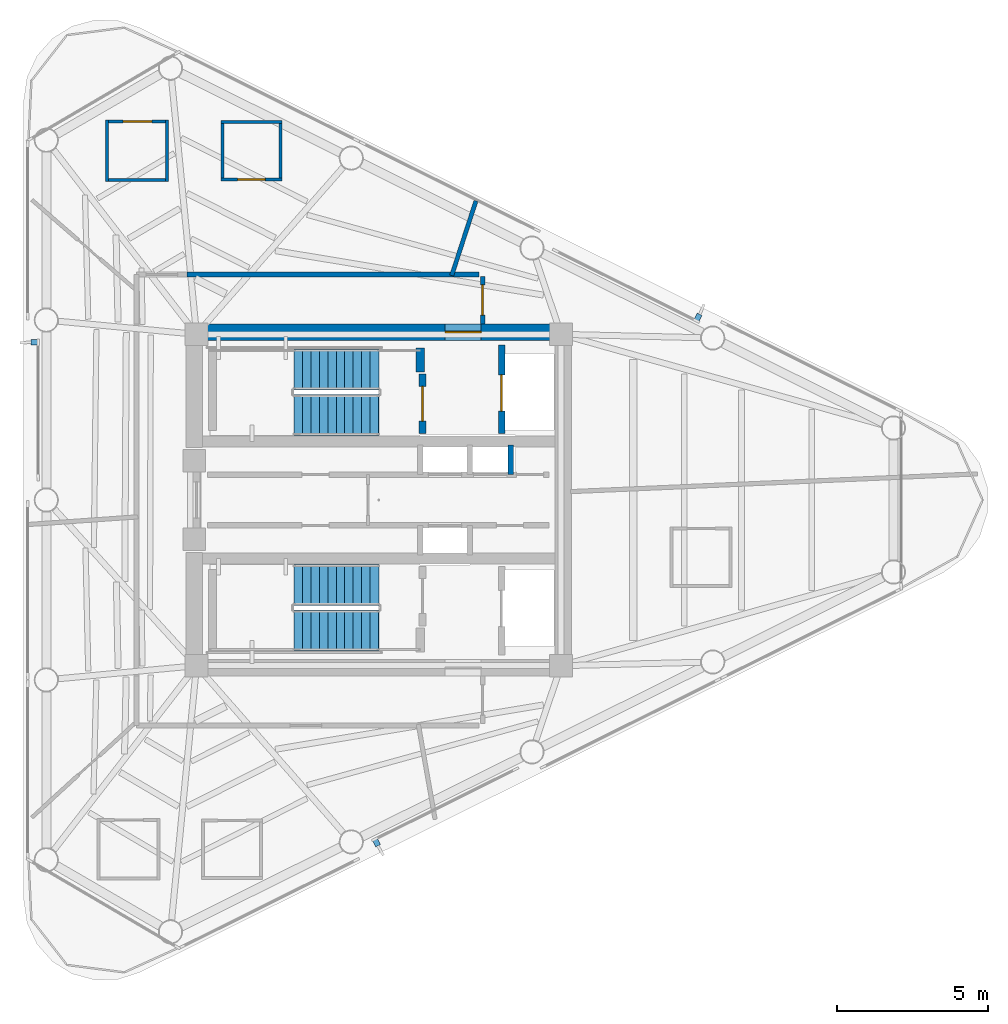
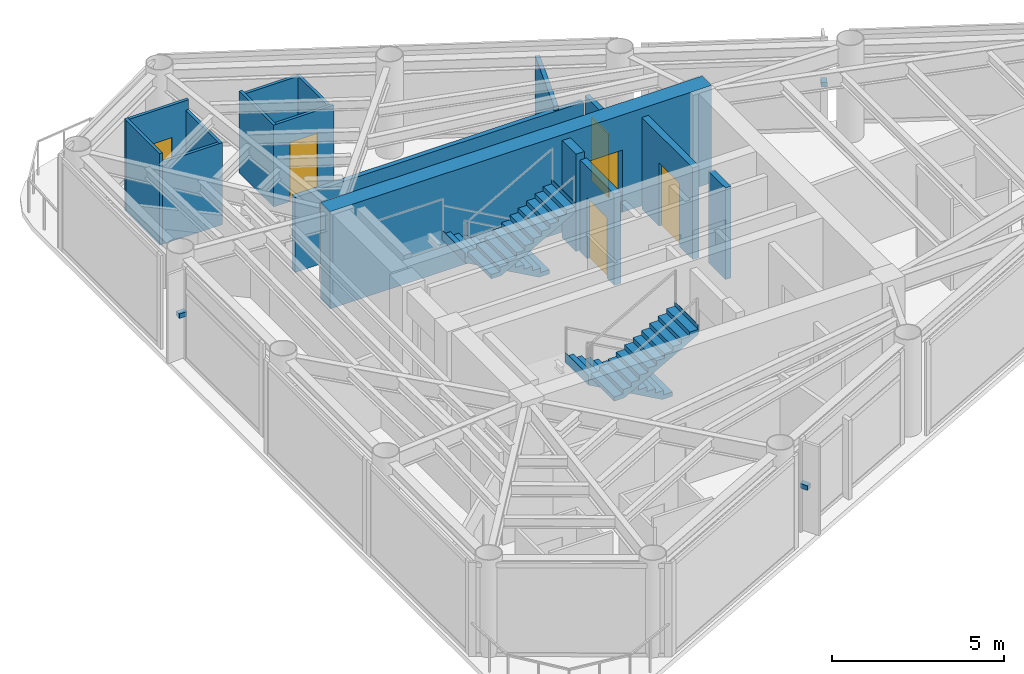
# One storey, part 6 of 10: 16 walls, 6 doors, 4 stair flights, 3 discrete accessories, 6 openings, 2 elements without a shape of their own.
"""IFC4 building model written with IfcOpenShell, lengths in metres."""

from ifc_helpers import new_model, si_unit, direction, frame, frame_2d, origin, origin_2d, place, context, subcontext, project, spatial, polyline, rectangle, outline, extrude, source, transform, mapped, material, layer, layer_set, type_object, element, fill, aggregate, save


model = new_model("IFC4")

# Units and contexts
model_context = context("Model", 3, precision=1e-05, world=origin(), true_north=direction((0.0, 1.0)))
body_context = subcontext(model_context, "Body", "Model", "MODEL_VIEW")
ifc_project = project(units=[si_unit("LENGTHUNIT", "METRE"), si_unit("AREAUNIT", "SQUARE_METRE"), si_unit("VOLUMEUNIT", "CUBIC_METRE"), si_unit("PLANEANGLEUNIT", "RADIAN"), si_unit("MASSUNIT", "GRAM", prefix="KILO")], contexts=[model_context])

# Site, building, storey
site_placement = place(None, origin())
site = spatial("IfcSite", under=ifc_project, at=site_placement, CompositionType="ELEMENT")
building_placement = place(site_placement, origin())
building = spatial("IfcBuilding", under=site, at=building_placement, Name="Yunling Apex Tower", CompositionType="ELEMENT")
storey_placement = place(building_placement, frame((0.0, 0.0, 307.10009765625)))
storey = spatial("IfcBuildingStorey", under=building, at=storey_placement, Name="L75", CompositionType="ELEMENT", Elevation=307.10009765625)

# Wall, opening, door
ifc_material_1 = material(Name="Concrete C40", Category="concrete")
ifc_layer_1 = layer(ifc_material_1, 0.550048828125)
ifc_layer_set_1 = layer_set([ifc_layer_1], Name="Concrete C40")
wall_type_1 = type_object("IfcWallType", Name="WL-COR-3", PredefinedType="SHEAR", material=ifc_layer_set_1)
wall_1_placement = place(storey_placement, frame((-6.39990234375, 5.574951171875, 0.0), z_axis=(0.0, 0.0, 1.0), x_axis=(1.0, 0.0, 0.0)))
wall_1 = element("IfcWall", 1, at=wall_1_placement, inside=storey, type_object=wall_type_1, Name="L75 North Core Shear Wall", PredefinedType="SHEAR", context=body_context, shape_type="SweptSolid", body=[
    extrude(rectangle(XDim=12.7998046875, YDim=0.550048828125, at=frame_2d((6.39990234375, 0.0))), origin(), (0.0, 0.0, 1.0), 3.449951171875),
])
opening_1_placement = place(wall_1_placement, frame((8.60009765625, 0.0, 0.0)))
opening_1 = element("IfcOpeningElement", 2, at=opening_1_placement, cuts=wall_1, Name="Opening DR-FFL-1", PredefinedType="OPENING", context=body_context, shape_type="SweptSolid", body=[
    extrude(rectangle(XDim=1.199951171875, YDim=2.199951171875, at=frame_2d((0.60009765625, 1.10009765625))), frame((0.0, 0.28515625, 0.0), z_axis=(0.0, -1.0, 0.0), x_axis=(1.0, 0.0, 0.0)), (0.0, 0.0, 1.0), 0.570068359375),
])
ifc_material_2 = material(Name="Steel Q355B", Category="steel")
door_type_1 = type_object("IfcDoorType", Name="DR-FFL-1", OperationType="NOTDEFINED", PredefinedType="DOOR", material=ifc_material_2)
door_1_placement = place(opening_1_placement, origin())
door_1 = element("IfcDoor", 3, at=door_1_placement, inside=storey, type_object=door_type_1, Name="L75 North Firefighting Lobby Door", OperationType="SINGLE_SWING_LEFT", OverallHeight=2.199951171875, OverallWidth=1.199951171875, PredefinedType="DOOR", context=body_context, shape_type="SweptSolid", body=[
    extrude(rectangle(XDim=1.199951171875, YDim=2.199951171875, at=frame_2d((0.60009765625, 1.10009765625))), frame((0.0, 0.02490234375, 0.0), z_axis=(0.0, -1.0, 0.0), x_axis=(1.0, 0.0, 0.0)), (0.0, 0.0, 1.0), 0.050048828125),
])
fill(opening_1, door_1)

# Walls
ifc_layer_2 = layer(ifc_material_1, 0.280029296875)
ifc_layer_set_2 = layer_set([ifc_layer_2], Name="Concrete C40")
wall_type_2 = type_object("IfcWallType", Name="WL-COR-8", PredefinedType="SHEAR", material=ifc_layer_set_2)
wall_2_placement = place(storey_placement, frame((1.3798828125, 4.25, 0.0), z_axis=(0.0, 0.0, 1.0), x_axis=(0.0, 1.0, 0.0)))
element("IfcWall", 4, at=wall_2_placement, inside=storey, type_object=wall_type_2, Name="L75 ST-1 East Landing Bearing Pier", PredefinedType="SHEAR", context=body_context, shape_type="SweptSolid", body=[
    extrude(rectangle(XDim=0.800048828125, YDim=0.280029296875, at=frame_2d((0.39990234375, 0.0))), origin(), (0.0, 0.0, 1.0), 3.449951171875),
])
ifc_material_3 = material(Name="Gypsum board acoustic partition")
ifc_layer_3 = layer(ifc_material_3, 0.159912109375)
ifc_layer_set_3 = layer_set([ifc_layer_3], Name="Gypsum board acoustic partition")
wall_type_3 = type_object("IfcWallType", Name="WL-PRT-1", PredefinedType="PARTITIONING", material=ifc_layer_set_3)
wall_3_placement = place(storey_placement, frame((-6.360107421875, 7.489990234375, 0.0), z_axis=(0.0, 0.0, 1.0), x_axis=(1.0, 0.0, 0.0)))
element("IfcWall", 5, at=wall_3_placement, inside=storey, type_object=wall_type_3, Name="WL-CORR-L75-03", PredefinedType="PARTITIONING", context=body_context, shape_type="SweptSolid", body=[
    extrude(rectangle(XDim=9.67919921875, YDim=0.159912109375, at=frame_2d((4.839599609375, 0.0))), origin(), (0.0, 0.0, 1.0), 2.65478515625),
])

# Wall, opening, door
wall_4_placement = place(storey_placement, frame((3.449951171875, 7.4248046875, 0.0), z_axis=(0.0, 0.0, 1.0), x_axis=(0.0, -1.0, 0.0)))
wall_4 = element("IfcWall", 6, at=wall_4_placement, inside=storey, type_object=wall_type_3, Name="WL-CORR-L75-04", PredefinedType="PARTITIONING", context=body_context, shape_type="SweptSolid", body=[
    extrude(rectangle(XDim=1.57470703125, YDim=0.159912109375, at=frame_2d((0.787353515625, 0.0))), origin(), (0.0, 0.0, 1.0), 2.85498046875),
])
opening_2_placement = place(wall_4_placement, frame((0.287353515625, 0.0, 0.0)))
opening_2 = element("IfcOpeningElement", 7, at=opening_2_placement, cuts=wall_4, Name="Opening DR-OFF-1", PredefinedType="OPENING", context=body_context, shape_type="SweptSolid", body=[
    extrude(rectangle(XDim=1.0, YDim=2.25, at=frame_2d((0.5, 1.125))), frame((0.0, 0.08984375, 0.0), z_axis=(0.0, -1.0, 0.0), x_axis=(1.0, 0.0, 0.0)), (0.0, 0.0, 1.0), 0.179931640625),
])
ifc_material_4 = material(Name="Bronze anodised aluminium", Category="aluminium")
door_type_2 = type_object("IfcDoorType", Name="DR-OFF-1", OperationType="NOTDEFINED", PredefinedType="DOOR", material=ifc_material_4)
door_2_placement = place(opening_2_placement, origin())
door_2 = element("IfcDoor", 8, at=door_2_placement, inside=storey, type_object=door_type_2, Name="L75 Residents Quiet Study Lounge Door", OperationType="SINGLE_SWING_RIGHT", OverallHeight=2.25, OverallWidth=1.0, PredefinedType="DOOR", context=body_context, shape_type="SweptSolid", body=[
    extrude(rectangle(XDim=1.0, YDim=2.25, at=frame_2d((0.5, 1.125))), frame((0.0, 0.02490234375, 0.0), z_axis=(0.0, -1.0, 0.0), x_axis=(1.0, 0.0, 0.0)), (0.0, 0.0, 1.0), 0.050048828125),
])
fill(opening_2, door_2)

# Walls
ifc_layer_4 = layer(ifc_material_3, 0.139892578125)
ifc_layer_set_4 = layer_set([ifc_layer_4], Name="Gypsum board acoustic partition")
wall_type_4 = type_object("IfcWallType", Name="WL-PRT-2", PredefinedType="PARTITIONING", material=ifc_layer_set_4)
wall_5_placement = place(storey_placement, frame((2.420654296875, 7.449951171875, 0.0), z_axis=(0.0, 0.0, 1.0), x_axis=(0.309047920595, 0.951046467201, 0.0)))
element("IfcWall", 9, at=wall_5_placement, inside=storey, type_object=wall_type_4, Name="WL-RAD-L75-02", PredefinedType="PARTITIONING", context=body_context, shape_type="SweptSolid", body=[
    extrude(rectangle(XDim=2.6044921875, YDim=0.139892578125, at=frame_2d((1.30224609375, 0.0))), origin(), (0.0, 0.0, 1.0), 2.81494140625),
])
ifc_layer_5 = layer(ifc_material_3, 0.10009765625)
ifc_layer_set_5 = layer_set([ifc_layer_5], Name="Gypsum board acoustic partition")
wall_type_5 = type_object("IfcWallType", Name="WL-PRT-4", PredefinedType="PARTITIONING", material=ifc_layer_set_5)
wall_6_placement = place(storey_placement, frame((-5.239013671875, 12.5400390625, 0.0), z_axis=(0.0, 0.0, 1.0), x_axis=(1.0, 0.0, 0.0)))
element("IfcWall", 10, at=wall_6_placement, inside=storey, type_object=wall_type_5, Name="WL-L75-U4BTHN", PredefinedType="PARTITIONING", context=body_context, shape_type="SweptSolid", body=[
    extrude(rectangle(XDim=2.02001953125, YDim=0.10009765625, at=frame_2d((1.010009765625, 0.0))), origin(), (0.0, 0.0, 1.0), 2.81494140625),
])

# Wall, opening, door
wall_7_placement = place(storey_placement, frame((-3.218994140625, 10.639892578125, 0.0), z_axis=(0.0, 0.0, 1.0), x_axis=(-1.0, 0.0, 0.0)))
wall_7 = element("IfcWall", 11, at=wall_7_placement, inside=storey, type_object=wall_type_5, Name="WL-L75-U4BTHS", PredefinedType="PARTITIONING", context=body_context, shape_type="SweptSolid", body=[
    extrude(rectangle(XDim=2.02001953125, YDim=0.10009765625, at=frame_2d((1.010009765625, 0.0))), origin(), (0.0, 0.0, 1.0), 2.90478515625),
])
opening_3_placement = place(wall_7_placement, frame((0.550048828125, 0.0, 0.0)))
opening_3 = element("IfcOpeningElement", 12, at=opening_3_placement, cuts=wall_7, Name="Opening DR-WC-1", PredefinedType="OPENING", context=body_context, shape_type="SweptSolid", body=[
    extrude(rectangle(XDim=0.919921875, YDim=2.10009765625, at=frame_2d((0.4599609375, 1.050048828125))), frame((0.0, 0.06005859375, 0.0), z_axis=(0.0, -1.0, 0.0), x_axis=(1.0, 0.0, 0.0)), (0.0, 0.0, 1.0), 0.1201171875),
])
ifc_material_5 = material(Name="Timber moisture-resistant leaf", Category="wood")
door_type_3 = type_object("IfcDoorType", Name="DR-WC-1", OperationType="NOTDEFINED", PredefinedType="DOOR", material=ifc_material_5)
door_3_placement = place(opening_3_placement, origin())
door_3 = element("IfcDoor", 13, at=door_3_placement, inside=storey, type_object=door_type_3, Name="L75 Unit 4 Bathroom Door", OperationType="SINGLE_SWING_LEFT", OverallHeight=2.10009765625, OverallWidth=0.919921875, PredefinedType="DOOR", context=body_context, shape_type="SweptSolid", body=[
    extrude(rectangle(XDim=0.919921875, YDim=2.10009765625, at=frame_2d((0.4599609375, 1.050048828125))), frame((0.0, 0.02490234375, 0.0), z_axis=(0.0, -1.0, 0.0), x_axis=(1.0, 0.0, 0.0)), (0.0, 0.0, 1.0), 0.050048828125),
])
fill(opening_3, door_3)

# Walls
wall_8_placement = place(storey_placement, frame((-3.26904296875, 12.590087890625, 0.0), z_axis=(0.0, 0.0, 1.0), x_axis=(0.0, -1.0, 0.0)))
element("IfcWall", 14, at=wall_8_placement, inside=storey, type_object=wall_type_5, Name="WL-L75-U4BTHE", PredefinedType="PARTITIONING", context=body_context, shape_type="SweptSolid", body=[
    extrude(rectangle(XDim=2.0, YDim=0.10009765625, at=frame_2d((1.0, 0.0))), origin(), (0.0, 0.0, 1.0), 2.81494140625),
])
wall_9_placement = place(storey_placement, frame((-5.18896484375, 10.590087890625, 0.0), z_axis=(0.0, 0.0, 1.0), x_axis=(0.0, 1.0, 0.0)))
element("IfcWall", 15, at=wall_9_placement, inside=storey, type_object=wall_type_5, Name="WL-L75-U4BTHW", PredefinedType="PARTITIONING", context=body_context, shape_type="SweptSolid", body=[
    extrude(rectangle(XDim=2.0, YDim=0.10009765625, at=frame_2d((1.0, 0.0))), origin(), (0.0, 0.0, 1.0), 2.90478515625),
])

# Wall, opening, door
wall_10_placement = place(storey_placement, frame((-9.074951171875, 12.56494140625, 0.0), z_axis=(0.0, 0.0, 1.0), x_axis=(1.0, 0.0, 0.0)))
wall_10 = element("IfcWall", 16, at=wall_10_placement, inside=storey, type_object=wall_type_5, Name="WL-L75-U4KITN", PredefinedType="PARTITIONING", context=body_context, shape_type="SweptSolid", body=[
    extrude(rectangle(XDim=2.099853515625, YDim=0.10009765625, at=frame_2d((1.0498046875, 0.0))), origin(), (0.0, 0.0, 1.0), 3.25),
])
opening_4_placement = place(wall_10_placement, frame((0.590087890625, 0.0, 0.0)))
opening_4 = element("IfcOpeningElement", 17, at=opening_4_placement, cuts=wall_10, Name="Opening DR-RM-1", PredefinedType="OPENING", context=body_context, shape_type="SweptSolid", body=[
    extrude(rectangle(XDim=0.949951171875, YDim=2.10009765625, at=frame_2d((0.47509765625, 1.050048828125))), frame((0.0, 0.06005859375, 0.0), z_axis=(0.0, -1.0, 0.0), x_axis=(1.0, 0.0, 0.0)), (0.0, 0.0, 1.0), 0.1201171875),
])
ifc_material_6 = material(Name="Timber flush leaf", Category="wood")
door_type_4 = type_object("IfcDoorType", Name="DR-RM-1", OperationType="NOTDEFINED", PredefinedType="DOOR", material=ifc_material_6)
door_4_placement = place(opening_4_placement, origin())
door_4 = element("IfcDoor", 18, at=door_4_placement, inside=storey, type_object=door_type_4, Name="L75 Unit 4 Kitchen Door", OperationType="SINGLE_SWING_RIGHT", OverallHeight=2.10009765625, OverallWidth=0.949951171875, PredefinedType="DOOR", context=body_context, shape_type="SweptSolid", body=[
    extrude(rectangle(XDim=0.949951171875, YDim=2.10009765625, at=frame_2d((0.47509765625, 1.050048828125))), frame((0.0, 0.02490234375, 0.0), z_axis=(0.0, -1.0, 0.0), x_axis=(1.0, 0.0, 0.0)), (0.0, 0.0, 1.0), 0.050048828125),
])
fill(opening_4, door_4)

# Walls
wall_11_placement = place(storey_placement, frame((-6.97509765625, 10.614990234375, 0.0), z_axis=(0.0, 0.0, 1.0), x_axis=(-1.0, 0.0, 0.0)))
element("IfcWall", 19, at=wall_11_placement, inside=storey, type_object=wall_type_5, Name="WL-L75-U4KITS", PredefinedType="PARTITIONING", context=body_context, shape_type="SweptSolid", body=[
    extrude(rectangle(XDim=2.099853515625, YDim=0.10009765625, at=frame_2d((1.0498046875, 0.0))), origin(), (0.0, 0.0, 1.0), 2.90478515625),
])
wall_12_placement = place(storey_placement, frame((-7.02490234375, 12.614990234375, 0.0), z_axis=(0.0, 0.0, 1.0), x_axis=(0.0, -1.0, 0.0)))
element("IfcWall", 20, at=wall_12_placement, inside=storey, type_object=wall_type_5, Name="WL-L75-U4KITE", PredefinedType="PARTITIONING", context=body_context, shape_type="SweptSolid", body=[
    extrude(rectangle(XDim=2.050048828125, YDim=0.10009765625, at=frame_2d((1.02490234375, 0.0))), origin(), (0.0, 0.0, 1.0), 2.90478515625),
])
wall_13_placement = place(storey_placement, frame((-9.02490234375, 10.56494140625, 0.0), z_axis=(0.0, 0.0, 1.0), x_axis=(0.0, 1.0, 0.0)))
element("IfcWall", 21, at=wall_13_placement, inside=storey, type_object=wall_type_5, Name="WL-L75-U4KITW", PredefinedType="PARTITIONING", context=body_context, shape_type="SweptSolid", body=[
    extrude(rectangle(XDim=2.050048828125, YDim=0.10009765625, at=frame_2d((1.02490234375, 0.0))), origin(), (0.0, 0.0, 1.0), 3.25),
])

# Wall, opening, door
ifc_material_7 = material(Name="Autoclaved aerated concrete masonry", Category="masonry")
ifc_layer_6 = layer(ifc_material_7, 0.219970703125)
ifc_layer_set_6 = layer_set([ifc_layer_6], Name="Autoclaved aerated concrete masonry")
wall_type_6 = type_object("IfcWallType", Name="WL-SHF-1", PredefinedType="PLUMBINGWALL", material=ifc_layer_set_6)
wall_14_placement = place(storey_placement, frame((1.449951171875, 2.199951171875, 0.0), z_axis=(0.0, 0.0, 1.0), x_axis=(0.0, 1.0, 0.0)))
wall_14 = element("IfcWall", 22, at=wall_14_placement, inside=storey, type_object=wall_type_6, Name="WL-ST1-E-L75", PredefinedType="PLUMBINGWALL", context=body_context, shape_type="SweptSolid", body=[
    extrude(rectangle(XDim=1.97998046875, YDim=0.219970703125, at=frame_2d((0.989990234375, 0.0))), origin(), (0.0, 0.0, 1.0), 3.25),
])
opening_5_placement = place(wall_14_placement, frame((0.419921875, 0.0, 0.0)))
opening_5 = element("IfcOpeningElement", 23, at=opening_5_placement, cuts=wall_14, Name="Opening DR-ST-1", PredefinedType="OPENING", context=body_context, shape_type="SweptSolid", body=[
    extrude(rectangle(XDim=1.14990234375, YDim=2.14990234375, at=frame_2d((0.574951171875, 1.074951171875))), frame((0.0, 0.1201171875, 0.0), z_axis=(0.0, -1.0, 0.0), x_axis=(1.0, 0.0, 0.0)), (0.0, 0.0, 1.0), 0.239990234375),
])
door_type_5 = type_object("IfcDoorType", Name="DR-ST-1", OperationType="NOTDEFINED", PredefinedType="DOOR", material=ifc_material_2)
door_5_placement = place(opening_5_placement, origin())
door_5 = element("IfcDoor", 24, at=door_5_placement, inside=storey, type_object=door_type_5, Name="L75 Stair ST-1 Fire Door", OperationType="SINGLE_SWING_LEFT", OverallHeight=2.14990234375, OverallWidth=1.14990234375, PredefinedType="DOOR", context=body_context, shape_type="SweptSolid", body=[
    extrude(rectangle(XDim=1.14990234375, YDim=2.14990234375, at=frame_2d((0.574951171875, 1.074951171875))), frame((0.0, 0.02490234375, 0.0), z_axis=(0.0, -1.0, 0.0), x_axis=(1.0, 0.0, 0.0)), (0.0, 0.0, 1.0), 0.050048828125),
])
fill(opening_5, door_5)

wall_15_placement = place(storey_placement, frame((4.080078125, 2.199951171875, 0.0), z_axis=(0.0, 0.0, 1.0), x_axis=(0.0, 1.0, 0.0)))
wall_15 = element("IfcWall", 25, at=wall_15_placement, inside=storey, type_object=wall_type_6, Name="WL-FFL1-W-L75", PredefinedType="PLUMBINGWALL", context=body_context, shape_type="SweptSolid", body=[
    extrude(rectangle(XDim=2.949951171875, YDim=0.219970703125, at=frame_2d((1.47509765625, 0.0))), origin(), (0.0, 0.0, 1.0), 3.25),
])
opening_6_placement = place(wall_15_placement, frame((0.75, 0.0, 0.0)))
opening_6 = element("IfcOpeningElement", 26, at=opening_6_placement, cuts=wall_15, Name="Opening LD-FFL-1", PredefinedType="OPENING", context=body_context, shape_type="SweptSolid", body=[
    extrude(rectangle(XDim=1.199951171875, YDim=2.25, at=frame_2d((0.60009765625, 1.125))), frame((0.0, 0.1201171875, 0.0), z_axis=(0.0, -1.0, 0.0), x_axis=(1.0, 0.0, 0.0)), (0.0, 0.0, 1.0), 0.239990234375),
])
door_type_6 = type_object("IfcDoorType", Name="LD-FFL-1", OperationType="DOUBLE_DOOR_SLIDING", PredefinedType="DOOR", material=ifc_material_2)
door_6_placement = place(opening_6_placement, origin())
door_6 = element("IfcDoor", 27, at=door_6_placement, inside=storey, type_object=door_type_6, Name="L75 Lift FFL-1 Landing Door", OperationType="DOUBLE_DOOR_SLIDING", OverallHeight=2.25, OverallWidth=1.199951171875, PredefinedType="DOOR", context=body_context, shape_type="SweptSolid", body=[
    extrude(rectangle(XDim=1.199951171875, YDim=2.25, at=frame_2d((0.60009765625, 1.125))), frame((0.0, 0.02490234375, 0.0), z_axis=(0.0, -1.0, 0.0), x_axis=(1.0, 0.0, 0.0)), (0.0, 0.0, 1.0), 0.050048828125),
])
fill(opening_6, door_6)

# Wall
ifc_layer_7 = layer(ifc_material_7, 0.179931640625)
ifc_layer_set_7 = layer_set([ifc_layer_7], Name="Autoclaved aerated concrete masonry")
wall_type_7 = type_object("IfcWallType", Name="WL-SHF-2", PredefinedType="PLUMBINGWALL", material=ifc_layer_set_7)
wall_16_placement = place(storey_placement, frame((4.3798828125, 0.840087890625, 0.0), z_axis=(0.0, 0.0, 1.0), x_axis=(0.0, 1.0, 0.0)))
element("IfcWall", 28, at=wall_16_placement, inside=storey, type_object=wall_type_7, Name="WL-END-H3E-L75", PredefinedType="PLUMBINGWALL", context=body_context, shape_type="SweptSolid", body=[
    extrude(rectangle(XDim=0.97998046875, YDim=0.179931640625, at=frame_2d((0.489990234375, 0.0))), origin(), (0.0, 0.0, 1.0), 3.25),
])

# Stair, stair flights
stair_type = type_object("IfcStairType", Name="ST-TWR-3", PredefinedType="HALF_TURN_STAIR", material=ifc_material_1)
stair_1_placement = place(storey_placement, origin())
stair_1 = element("IfcStair", 29, at=stair_1_placement, inside=storey, type_object=stair_type, Name="L75 North Core Smokeproof Exit Stair ST-1", PredefinedType="HALF_TURN_STAIR")
stair_flight_type = type_object("IfcStairFlightType", Name="SFL-TWR-3", PredefinedType="STRAIGHT", material=ifc_material_1)
stair_flight_1_placement = place(storey_placement, frame((-0.010009765625, 4.330078125, 0.0), z_axis=(0.0, 0.0, 1.0), x_axis=(-1.0, 0.0, 0.0)))
stair_flight_1 = element("IfcStairFlight", 30, at=stair_flight_1_placement, type_object=stair_flight_type, Name="ST-1 flight 1", NumberOfRisers=11, NumberOfTreads=10, PredefinedType="STRAIGHT", RiserHeight=0.156818182, TreadLength=0.28, context=body_context, shape_type="SweptSolid", body=[
    extrude(outline(polyline([(-0.011962890625, 0.0), (-0.011962890625, 0.15673828125), (0.0, 0.15673828125), (0.280029296875, 0.15673828125), (0.280029296875, 0.313720703125), (0.56005859375, 0.313720703125), (0.56005859375, 0.470458984375), (0.840087890625, 0.470458984375), (0.840087890625, 0.627197265625), (1.1201171875, 0.627197265625), (1.1201171875, 0.7841796875), (1.39990234375, 0.7841796875), (1.39990234375, 0.94091796875), (1.679931640625, 0.94091796875), (1.679931640625, 1.09765625), (1.9599609375, 1.09765625), (1.9599609375, 1.254638671875), (2.239990234375, 1.254638671875), (2.239990234375, 1.411376953125), (2.52001953125, 1.411376953125), (2.52001953125, 1.568115234375), (2.800048828125, 1.568115234375), (2.800048828125, 1.72509765625), (2.81201171875, 1.72509765625), (2.81201171875, 1.385009765625), (0.3271484375, 0.0), (-0.011962890625, 0.0)])), frame((0.0, 0.68017578125, 0.0), z_axis=(0.0, -1.0, 0.0), x_axis=(1.0, 0.0, 0.0)), (0.0, 0.0, 1.0), 1.360107421875),
])
stair_flight_2_placement = place(storey_placement, frame((-2.81005859375, 2.820068359375, 1.724853515625), z_axis=(0.0, 0.0, 1.0), x_axis=(1.0, 0.0, 0.0)))
stair_flight_2 = element("IfcStairFlight", 31, at=stair_flight_2_placement, type_object=stair_flight_type, Name="ST-1 flight 2", NumberOfRisers=11, NumberOfTreads=10, PredefinedType="STRAIGHT", RiserHeight=0.156818182, TreadLength=0.28, context=body_context, shape_type="SweptSolid", body=[
    extrude(outline(polyline([(-0.011962890625, 0.0), (-0.011962890625, 0.15673828125), (0.0, 0.15673828125), (0.280029296875, 0.15673828125), (0.280029296875, 0.313720703125), (0.56005859375, 0.313720703125), (0.56005859375, 0.470458984375), (0.840087890625, 0.470458984375), (0.840087890625, 0.627197265625), (1.1201171875, 0.627197265625), (1.1201171875, 0.7841796875), (1.39990234375, 0.7841796875), (1.39990234375, 0.94091796875), (1.679931640625, 0.94091796875), (1.679931640625, 1.09765625), (1.9599609375, 1.09765625), (1.9599609375, 1.254638671875), (2.239990234375, 1.254638671875), (2.239990234375, 1.411376953125), (2.52001953125, 1.411376953125), (2.52001953125, 1.568115234375), (2.800048828125, 1.568115234375), (2.800048828125, 1.72509765625), (2.81201171875, 1.72509765625), (2.81201171875, 1.385009765625), (0.3271484375, 0.0), (-0.011962890625, 0.0)])), frame((0.0, 0.68017578125, 0.0), z_axis=(0.0, -1.0, 0.0), x_axis=(1.0, 0.0, 0.0)), (0.0, 0.0, 1.0), 1.360107421875),
])
aggregate(stair_1, [stair_flight_1, stair_flight_2])

stair_2_placement = place(storey_placement, origin())
stair_2 = element("IfcStair", 32, at=stair_2_placement, inside=storey, type_object=stair_type, Name="L75 South Core Smokeproof Exit Stair ST-2", PredefinedType="HALF_TURN_STAIR")
stair_flight_3_placement = place(storey_placement, frame((-0.010009765625, -2.820068359375, 0.0), z_axis=(0.0, 0.0, 1.0), x_axis=(-1.0, 0.0, 0.0)))
stair_flight_3 = element("IfcStairFlight", 33, at=stair_flight_3_placement, type_object=stair_flight_type, Name="ST-2 flight 1", NumberOfRisers=11, NumberOfTreads=10, PredefinedType="STRAIGHT", RiserHeight=0.156818182, TreadLength=0.28, context=body_context, shape_type="SweptSolid", body=[
    extrude(outline(polyline([(-0.011962890625, 0.0), (-0.011962890625, 0.15673828125), (0.0, 0.15673828125), (0.280029296875, 0.15673828125), (0.280029296875, 0.313720703125), (0.56005859375, 0.313720703125), (0.56005859375, 0.470458984375), (0.840087890625, 0.470458984375), (0.840087890625, 0.627197265625), (1.1201171875, 0.627197265625), (1.1201171875, 0.7841796875), (1.39990234375, 0.7841796875), (1.39990234375, 0.94091796875), (1.679931640625, 0.94091796875), (1.679931640625, 1.09765625), (1.9599609375, 1.09765625), (1.9599609375, 1.254638671875), (2.239990234375, 1.254638671875), (2.239990234375, 1.411376953125), (2.52001953125, 1.411376953125), (2.52001953125, 1.568115234375), (2.800048828125, 1.568115234375), (2.800048828125, 1.72509765625), (2.81201171875, 1.72509765625), (2.81201171875, 1.385009765625), (0.3271484375, 0.0), (-0.011962890625, 0.0)])), frame((0.0, 0.68017578125, 0.0), z_axis=(0.0, -1.0, 0.0), x_axis=(1.0, 0.0, 0.0)), (0.0, 0.0, 1.0), 1.360107421875),
])
stair_flight_4_placement = place(storey_placement, frame((-2.81005859375, -4.330078125, 1.724853515625), z_axis=(0.0, 0.0, 1.0), x_axis=(1.0, 0.0, 0.0)))
stair_flight_4 = element("IfcStairFlight", 34, at=stair_flight_4_placement, type_object=stair_flight_type, Name="ST-2 flight 2", NumberOfRisers=11, NumberOfTreads=10, PredefinedType="STRAIGHT", RiserHeight=0.156818182, TreadLength=0.28, context=body_context, shape_type="SweptSolid", body=[
    extrude(outline(polyline([(-0.011962890625, 0.0), (-0.011962890625, 0.15673828125), (0.0, 0.15673828125), (0.280029296875, 0.15673828125), (0.280029296875, 0.313720703125), (0.56005859375, 0.313720703125), (0.56005859375, 0.470458984375), (0.840087890625, 0.470458984375), (0.840087890625, 0.627197265625), (1.1201171875, 0.627197265625), (1.1201171875, 0.7841796875), (1.39990234375, 0.7841796875), (1.39990234375, 0.94091796875), (1.679931640625, 0.94091796875), (1.679931640625, 1.09765625), (1.9599609375, 1.09765625), (1.9599609375, 1.254638671875), (2.239990234375, 1.254638671875), (2.239990234375, 1.411376953125), (2.52001953125, 1.411376953125), (2.52001953125, 1.568115234375), (2.800048828125, 1.568115234375), (2.800048828125, 1.72509765625), (2.81201171875, 1.72509765625), (2.81201171875, 1.385009765625), (0.3271484375, 0.0), (-0.011962890625, 0.0)])), frame((0.0, 0.68017578125, 0.0), z_axis=(0.0, -1.0, 0.0), x_axis=(1.0, 0.0, 0.0)), (0.0, 0.0, 1.0), 1.360107421875),
])
aggregate(stair_2, [stair_flight_3, stair_flight_4])

# Discrete accessories
discrete_accessory_type = type_object("IfcDiscreteAccessoryType", Name="BK-FIN-1", PredefinedType="BRACKET", material=ifc_material_2)
shared_shape = source(origin(), body_context, "Body", "SweptSolid", [
    extrude(rectangle(XDim=0.179931640625, YDim=0.260009765625, at=origin_2d()), origin(), (0.0, 0.0, 1.0), 0.159912109375),
])
for number, where, z_axis, x_axis, name in (
    (35, (-0.08203125, -11.361083984375, 1.55517578125), (0.0, 0.0, 1.0), (0.895245648325, 0.445572922377, 0.0), "CW-L75-F1-B2-BRK-01-1"),
    (36, (10.59326171875, 6.047607421875, 1.55517578125), (0.0, 0.0, 1.0), (-0.895245648325, 0.445572922377, 0.0), "CW-L75-F2-B2-BRK-01-1"),
    (37, (-11.417236328125, 5.232666015625, 1.55517578125), (0.0, 0.0, 1.0), (0.0, -1.0, 0.0), "CW-L75-F3-B2-BRK-01-1"),
):
    element("IfcDiscreteAccessory", number, at=place(storey_placement, frame(where, z_axis=z_axis, x_axis=x_axis)), inside=storey, type_object=discrete_accessory_type, Name=name, PredefinedType="BRACKET", context=body_context, shape_type="MappedRepresentation", body=[
        mapped(shared_shape, transform((0.0, 0.0, 0.0), scale=1.0)),
    ])

save(model, "model.ifc")
